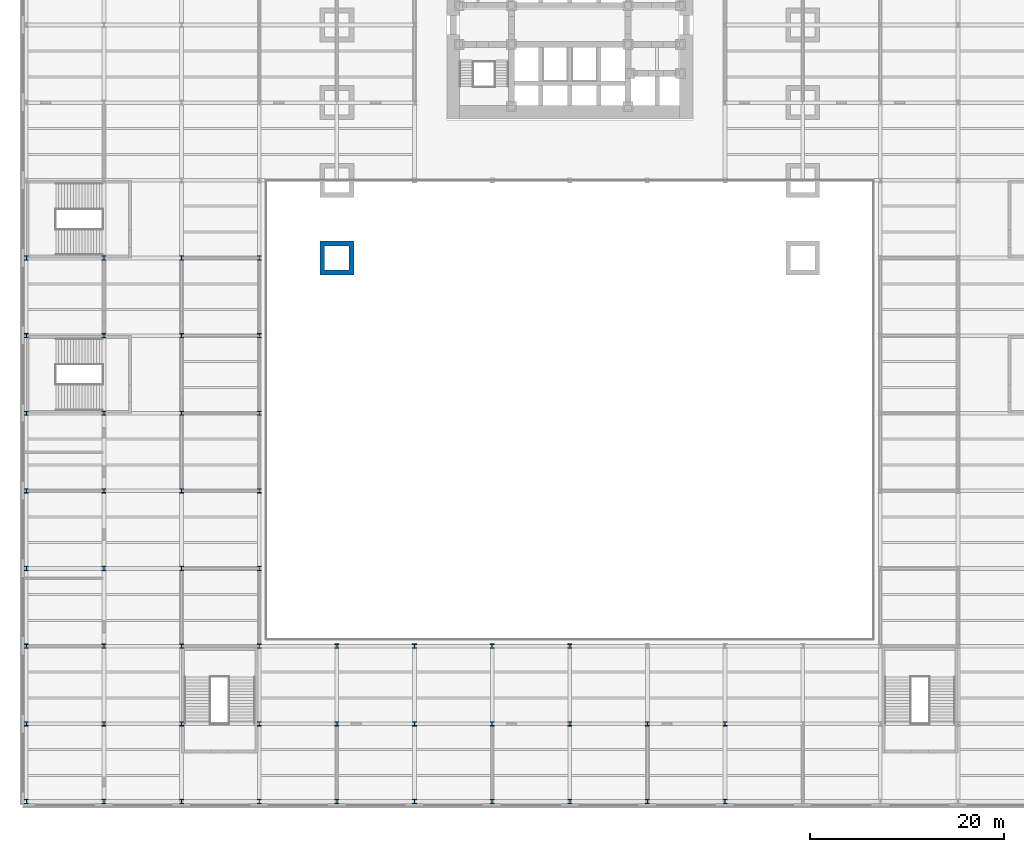
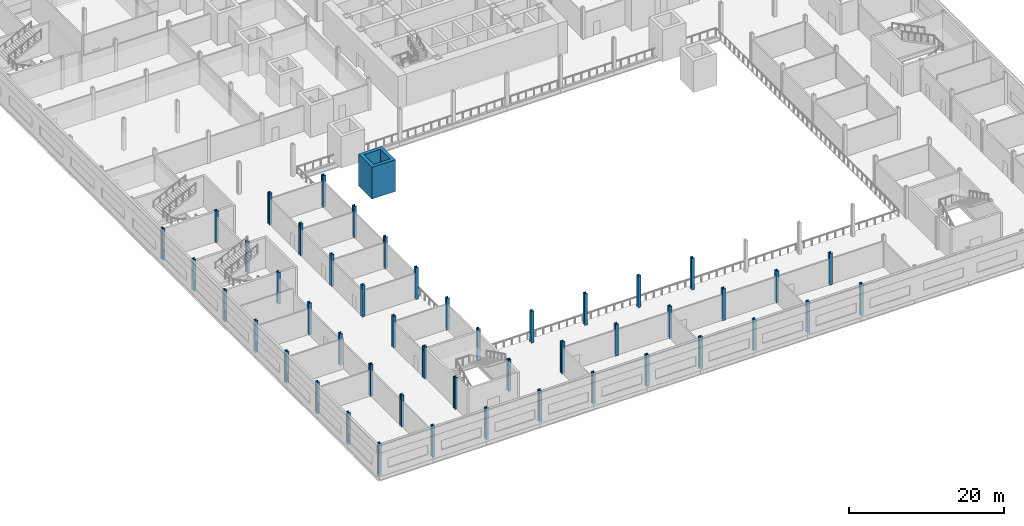
# One storey, part 1 of 18: 49 columns.
"""IFC4 building model written with IfcOpenShell, lengths in metres."""

import ifcopenshell
import ifcopenshell.guid

model = None  # the IFC model being written
_history = None  # IfcOwnerHistory: only IFC2X3 demands one
_inside = {}  # id of a spatial element -> (the spatial element, [elements in it])
_under = {}  # id of a project, library or spatial element -> (it, [spatial elements below it])
_declared = {}  # id of a project -> (the project, [libraries it declares])
_typed = {}  # id of a type object -> (the type object, [elements of that type])
_made_of = {}  # id of a material, layer set ... -> (it, [elements and type objects made of it])


def new_model(schema):
    """Start an empty IFC model of exactly this schema.

    Asked for "IFC4X3", IfcOpenShell would pick the latest addendum, in which some entities
    have other attributes; the version numbers below select the first issue.
    IFC2X3 requires an IfcOwnerHistory on every rooted entity: one is made here for all.
    """
    global model, _history
    if schema == "IFC4X3":
        model = ifcopenshell.file(schema_version=(4, 3, 0, 0))
    else:
        model = ifcopenshell.file(schema=schema)
    _inside.clear()
    _under.clear()
    _declared.clear()
    _typed.clear()
    _made_of.clear()
    _history = None
    if model.schema == "IFC2X3":
        org = make("IfcOrganization", Name="unknown")
        user = make(
            "IfcPersonAndOrganization",
            ThePerson=make("IfcPerson", FamilyName="unknown"),
            TheOrganization=org,
        )
        app = make(
            "IfcApplication",
            ApplicationDeveloper=org,
            Version="unknown",
            ApplicationFullName="unknown",
            ApplicationIdentifier="unknown",
        )
        _history = make(
            "IfcOwnerHistory",
            OwningUser=user,
            OwningApplication=app,
            ChangeAction="ADDED",
            CreationDate=0,
        )
    return model


def make(cls, **values):
    """One entity of the class cls with the attributes given. An attribute that is None is left unset."""
    return model.create_entity(
        cls, **{name: value for name, value in values.items() if value is not None}
    )


def rooted(cls, **values):
    """An entity with a GlobalId (a new one), such as an element, a storey or a relation."""
    return make(cls, GlobalId=ifcopenshell.guid.new(), OwnerHistory=_history, **values)


def si_unit(unit_type, name, prefix=None):
    """IfcSIUnit, for example si_unit("LENGTHUNIT", "METRE", prefix="MILLI")."""
    return make("IfcSIUnit", UnitType=unit_type, Prefix=prefix, Name=name)


def assignment(units):
    """IfcUnitAssignment: the units of a project."""
    return None if units is None else make("IfcUnitAssignment", Units=units)


def point(xyz):
    """IfcCartesianPoint."""
    return None if xyz is None else make("IfcCartesianPoint", Coordinates=xyz)


def direction(xyz):
    """IfcDirection."""
    return None if xyz is None else make("IfcDirection", DirectionRatios=xyz)


def frame(location, z_axis=None, x_axis=None):
    """IfcAxis2Placement3D, a coordinate frame: its origin and axes. An axis left out is left unset."""
    return make(
        "IfcAxis2Placement3D",
        Location=point(location),
        Axis=direction(z_axis),
        RefDirection=direction(x_axis),
    )


def frame_2d(location, x_axis=None):
    """IfcAxis2Placement2D, a coordinate frame in the plane: its origin and x axis."""
    return make(
        "IfcAxis2Placement2D", Location=point(location), RefDirection=direction(x_axis)
    )


def origin():
    """The frame at (0, 0, 0) with its axes left unset."""
    return frame((0.0, 0.0, 0.0))


def origin_2d():
    """The frame at (0, 0) in the plane with its x axis left unset."""
    return frame_2d((0.0, 0.0))


def place(relative_to, where):
    """IfcLocalPlacement: puts the frame where relative to a parent placement (None: the world)."""
    return make(
        "IfcLocalPlacement", PlacementRelTo=relative_to, RelativePlacement=where
    )


def context(
    kind, dimensions, precision=None, world=None, true_north=None, identifier=None
):
    """IfcGeometricRepresentationContext, for example the 3D "Model" context."""
    return make(
        "IfcGeometricRepresentationContext",
        ContextIdentifier=identifier,
        ContextType=kind,
        CoordinateSpaceDimension=dimensions,
        Precision=precision,
        WorldCoordinateSystem=world,
        TrueNorth=true_north,
    )


def subcontext(parent, identifier, kind, view, scale=None):
    """IfcGeometricRepresentationSubContext, for example "Body" below "Model"."""
    return make(
        "IfcGeometricRepresentationSubContext",
        ContextIdentifier=identifier,
        ContextType=kind,
        ParentContext=parent,
        TargetScale=scale,
        TargetView=view,
    )


def project(units=None, contexts=None):
    """IfcProject with its units and contexts."""
    return rooted(
        "IfcProject",
        Name="project",
        RepresentationContexts=contexts,
        UnitsInContext=assignment(units),
    )


def spatial(cls, under=None, at=None, **own):
    """A site, building, storey or space (cls), placed at a placement, below another one or the project."""
    s = rooted(cls, ObjectPlacement=at, **own)
    if under is not None:
        _under.setdefault(under.id(), (under, []))[1].append(s)
    return s


def profile(cls, at=None, kind="AREA", **sizes):
    """A parametric profile (cls). Its sizes go by their IFC names, for example OverallWidth=200.0."""
    return make(cls, ProfileType=kind, Position=at, **sizes)


def hollow_rectangle(**sizes):
    """IfcRectangleHollowProfileDef."""
    return profile("IfcRectangleHollowProfileDef", **sizes)


def i_section(**sizes):
    """IfcIShapeProfileDef."""
    return profile("IfcIShapeProfileDef", **sizes)


def extrude(swept, where, along, depth):
    """IfcExtrudedAreaSolid: the profile swept, set in the frame where, extruded along a direction by depth."""
    return make(
        "IfcExtrudedAreaSolid",
        SweptArea=swept,
        Position=where,
        ExtrudedDirection=direction(along),
        Depth=depth,
    )


def shape(context_of_items, identifier, shape_type, items):
    """IfcShapeRepresentation: the items that make up one representation, for example the "Body"."""
    return make(
        "IfcShapeRepresentation",
        ContextOfItems=context_of_items,
        RepresentationIdentifier=identifier,
        RepresentationType=shape_type,
        Items=items,
    )


def material(Name=None, Category=None):
    """IfcMaterial."""
    return make("IfcMaterial", Name=Name, Category=Category)


def material_profile(
    of_material, cross_section, Name=None, Category=None, Priority=None
):
    """IfcMaterialProfile: a cross section and its material."""
    return make(
        "IfcMaterialProfile",
        Name=Name,
        Material=of_material,
        Profile=cross_section,
        Priority=Priority,
        Category=Category,
    )


def profile_set(profiles, Name=None, composite=None):
    """IfcMaterialProfileSet."""
    return make(
        "IfcMaterialProfileSet",
        Name=Name,
        MaterialProfiles=profiles,
        CompositeProfile=composite,
    )


def made_of(thing, what):
    """Note that an element or type object is made of a material, layer set ...; save() writes the relation."""
    if what is not None:
        _made_of.setdefault(what.id(), (what, []))[1].append(thing)
    return thing


def type_object(cls, material=None, **own):
    """A type object (cls), such as IfcWallType, which elements share."""
    return made_of(rooted(cls, **own), material)


def element(
    cls,
    number,
    at=None,
    inside=None,
    cuts=None,
    type_object=None,
    material=None,
    context=None,
    identifier="Body",
    shape_type=None,
    held_by="IfcProductDefinitionShape",
    body=None,
    shapes=None,
    **own,
):
    """One element of the class cls, such as IfcWall. Its Tag is "e" and its number.

    at: its placement. inside: the storey or other place that contains it. cuts: it is an
    opening in that element (IfcRelVoidsElement). A single representation is given by context,
    identifier, shape_type and body (its items); several are given by shapes. held_by: the class
    of the entity that holds the representations. save() writes the other relations.
    """
    e = rooted(cls, Tag="e%d" % number, ObjectPlacement=at, **own)
    if body is not None:
        shapes = [shape(context, identifier, shape_type, body)]
    if shapes is not None:
        e.Representation = make(held_by, Representations=shapes)
    if inside is not None:
        _inside.setdefault(inside.id(), (inside, []))[1].append(e)
    if cuts is not None:
        rooted(
            "IfcRelVoidsElement", RelatingBuildingElement=cuts, RelatedOpeningElement=e
        )
    if type_object is not None:
        _typed.setdefault(type_object.id(), (type_object, []))[1].append(e)
    return made_of(e, material)


def aggregate(whole, parts):
    """IfcRelAggregates: a whole, such as a stair, and the parts it consists of."""
    return rooted("IfcRelAggregates", RelatingObject=whole, RelatedObjects=parts)


def save(model, path):
    """Write the relations noted so far, then the file.

    IfcRelAggregates (storeys below a building ...), IfcRelContainedInSpatialStructure (elements
    in a storey), IfcRelDefinesByType, IfcRelAssociatesMaterial and IfcRelDeclares: one each for
    every whole, place, type object, material and project.
    """
    for whole, parts in _under.values():
        aggregate(whole, parts)
    for where, things in _inside.values():
        rooted(
            "IfcRelContainedInSpatialStructure",
            RelatedElements=things,
            RelatingStructure=where,
        )
    for kind, things in _typed.values():
        rooted("IfcRelDefinesByType", RelatedObjects=things, RelatingType=kind)
    for what, things in _made_of.values():
        rooted("IfcRelAssociatesMaterial", RelatedObjects=things, RelatingMaterial=what)
    for by, libraries in _declared.values():
        rooted("IfcRelDeclares", RelatingContext=by, RelatedDefinitions=libraries)
    model.write(path)


model = new_model("IFC4")

# Units and contexts
model_context = context("Model", 3, precision=1e-05, world=origin(), true_north=direction((0.0, 1.0)))
body_context = subcontext(model_context, "Body", "Model", "MODEL_VIEW")
ifc_project = project(units=[si_unit("LENGTHUNIT", "METRE"), si_unit("AREAUNIT", "SQUARE_METRE"), si_unit("VOLUMEUNIT", "CUBIC_METRE"), si_unit("PLANEANGLEUNIT", "RADIAN"), si_unit("MASSUNIT", "GRAM", prefix="KILO")], contexts=[model_context])

# Site, building, storey
site_placement = place(None, origin())
site = spatial("IfcSite", under=ifc_project, at=site_placement, CompositionType="ELEMENT")
building_placement = place(site_placement, origin())
building = spatial("IfcBuilding", under=site, at=building_placement, Name="Daluyong Arena Tower", CompositionType="ELEMENT")
storey_placement = place(building_placement, frame((0.0, 0.0, 4.89990234375)))
storey = spatial("IfcBuildingStorey", under=building, at=storey_placement, Name="L01", CompositionType="ELEMENT", Elevation=4.89990234375)

# Columns
ifc_material_1 = material(Name="Steel ASTM A913 Grade 65", Category="steel")
ifc_material_profile_1 = material_profile(ifc_material_1, i_section(OverallWidth=0.419189453125, OverallDepth=0.45458984375, WebThickness=0.042236328125, FlangeThickness=0.067626953125, at=origin_2d()))
ifc_profile_set_1 = profile_set([ifc_material_profile_1], Name="Steel ASTM A913 Grade 65")
column_type_1 = type_object("IfcColumnType", Name="Podium column W14X370", PredefinedType="COLUMN", material=ifc_profile_set_1)
for number, where, z_axis, x_axis, name in (
    (1, (0.0, 0.0, 0.0), (0.0, 0.0, 1.0), (1.0, 0.0, 0.0), "podium column PC1"),
    (2, (0.0, 8.0, 0.0), (0.0, 0.0, 1.0), (1.0, 0.0, 0.0), "podium column PC1"),
    (3, (0.0, 16.0, 0.0), (0.0, 0.0, 1.0), (1.0, 0.0, 0.0), "podium column PC1"),
    (4, (0.0, 24.0, 0.0), (0.0, 0.0, 1.0), (1.0, 0.0, 0.0), "podium column PC1"),
    (5, (0.0, 32.0, 0.0), (0.0, 0.0, 1.0), (1.0, 0.0, 0.0), "podium column PC1"),
    (6, (0.0, 40.0, 0.0), (0.0, 0.0, 1.0), (1.0, 0.0, 0.0), "podium column PC1"),
    (7, (0.0, 48.0, 0.0), (0.0, 0.0, 1.0), (1.0, 0.0, 0.0), "podium column PC1"),
    (8, (0.0, 56.0, 0.0), (0.0, 0.0, 1.0), (1.0, 0.0, 0.0), "podium column PC1"),
    (9, (8.0, 0.0, 0.0), (0.0, 0.0, 1.0), (1.0, 0.0, 0.0), "podium column PC1"),
    (10, (8.0, 8.0, 0.0), (0.0, 0.0, 1.0), (1.0, 0.0, 0.0), "podium column PC1"),
    (11, (8.0, 16.0, 0.0), (0.0, 0.0, 1.0), (1.0, 0.0, 0.0), "podium column PC1"),
    (12, (8.0, 24.0, 0.0), (0.0, 0.0, 1.0), (1.0, 0.0, 0.0), "podium column PC1"),
    (13, (8.0, 32.0, 0.0), (0.0, 0.0, 1.0), (1.0, 0.0, 0.0), "podium column PC1"),
    (14, (8.0, 40.0, 0.0), (0.0, 0.0, 1.0), (1.0, 0.0, 0.0), "podium column PC1"),
    (15, (8.0, 48.0, 0.0), (0.0, 0.0, 1.0), (1.0, 0.0, 0.0), "podium column PC1"),
    (16, (8.0, 56.0, 0.0), (0.0, 0.0, 1.0), (1.0, 0.0, 0.0), "podium column PC1"),
    (17, (16.0, 0.0, 0.0), (0.0, 0.0, 1.0), (1.0, 0.0, 0.0), "podium column PC1"),
    (18, (16.0, 8.0, 0.0), (0.0, 0.0, 1.0), (1.0, 0.0, 0.0), "podium column PC1"),
    (19, (16.0, 16.0, 0.0), (0.0, 0.0, 1.0), (1.0, 0.0, 0.0), "podium column PC1"),
    (20, (16.0, 24.0, 0.0), (0.0, 0.0, 1.0), (1.0, 0.0, 0.0), "podium column PC1"),
    (21, (16.0, 32.0, 0.0), (0.0, 0.0, 1.0), (1.0, 0.0, 0.0), "podium column PC1"),
    (22, (16.0, 40.0, 0.0), (0.0, 0.0, 1.0), (1.0, 0.0, 0.0), "podium column PC1"),
    (23, (16.0, 48.0, 0.0), (0.0, 0.0, 1.0), (1.0, 0.0, 0.0), "podium column PC1"),
    (24, (16.0, 56.0, 0.0), (0.0, 0.0, 1.0), (1.0, 0.0, 0.0), "podium column PC1"),
    (25, (24.0, 0.0, 0.0), (0.0, 0.0, 1.0), (1.0, 0.0, 0.0), "podium column PC1"),
    (26, (24.0, 8.0, 0.0), (0.0, 0.0, 1.0), (1.0, 0.0, 0.0), "podium column PC1"),
    (27, (24.0, 16.0, 0.0), (0.0, 0.0, 1.0), (1.0, 0.0, 0.0), "podium column PC1"),
    (28, (24.0, 24.0, 0.0), (0.0, 0.0, 1.0), (1.0, 0.0, 0.0), "podium column PC1"),
    (29, (24.0, 32.0, 0.0), (0.0, 0.0, 1.0), (1.0, 0.0, 0.0), "podium column PC1"),
    (30, (24.0, 40.0, 0.0), (0.0, 0.0, 1.0), (1.0, 0.0, 0.0), "podium column PC1"),
    (31, (24.0, 48.0, 0.0), (0.0, 0.0, 1.0), (1.0, 0.0, 0.0), "podium column PC1"),
    (32, (24.0, 56.0, 0.0), (0.0, 0.0, 1.0), (1.0, 0.0, 0.0), "podium column PC1"),
    (33, (32.0, 0.0, 0.0), (0.0, 0.0, 1.0), (1.0, 0.0, 0.0), "podium column PC1"),
    (34, (32.0, 8.0, 0.0), (0.0, 0.0, 1.0), (1.0, 0.0, 0.0), "podium column PC1"),
    (35, (32.0, 16.0, 0.0), (0.0, 0.0, 1.0), (1.0, 0.0, 0.0), "podium column PC1"),
    (36, (40.0, 0.0, 0.0), (0.0, 0.0, 1.0), (1.0, 0.0, 0.0), "podium column PC1"),
    (37, (40.0, 8.0, 0.0), (0.0, 0.0, 1.0), (1.0, 0.0, 0.0), "podium column PC1"),
    (38, (40.0, 16.0, 0.0), (0.0, 0.0, 1.0), (1.0, 0.0, 0.0), "podium column PC1"),
    (39, (48.0, 0.0, 0.0), (0.0, 0.0, 1.0), (1.0, 0.0, 0.0), "podium column PC1"),
    (40, (48.0, 8.0, 0.0), (0.0, 0.0, 1.0), (1.0, 0.0, 0.0), "podium column PC1"),
    (41, (48.0, 16.0, 0.0), (0.0, 0.0, 1.0), (1.0, 0.0, 0.0), "podium column PC1"),
    (42, (56.0, 0.0, 0.0), (0.0, 0.0, 1.0), (1.0, 0.0, 0.0), "podium column PC1"),
    (43, (56.0, 8.0, 0.0), (0.0, 0.0, 1.0), (1.0, 0.0, 0.0), "podium column PC1"),
    (44, (56.0, 16.0, 0.0), (0.0, 0.0, 1.0), (1.0, 0.0, 0.0), "podium column PC1"),
    (45, (64.0, 0.0, 0.0), (0.0, 0.0, 1.0), (1.0, 0.0, 0.0), "podium column PC1"),
    (46, (64.0, 8.0, 0.0), (0.0, 0.0, 1.0), (1.0, 0.0, 0.0), "podium column PC1"),
    (47, (72.0, 0.0, 0.0), (0.0, 0.0, 1.0), (1.0, 0.0, 0.0), "podium column PC1"),
    (48, (72.0, 8.0, 0.0), (0.0, 0.0, 1.0), (1.0, 0.0, 0.0), "podium column PC1"),
):
    element("IfcColumn", number, at=place(storey_placement, frame(where, z_axis=z_axis, x_axis=x_axis)), inside=storey, type_object=column_type_1, Name=name, PredefinedType="COLUMN", context=body_context, shape_type="SweptSolid", body=[
        extrude(i_section(OverallWidth=0.419189453125, OverallDepth=0.45458984375, WebThickness=0.042236328125, FlangeThickness=0.067626953125, at=origin_2d()), origin(), (0.0, 0.0, 1.0), 5.0),
    ])
ifc_material_2 = material(Name="Steel ASTM A36", Category="steel")
ifc_material_profile_2 = material_profile(ifc_material_2, hollow_rectangle(XDim=3.5, YDim=3.5, WallThickness=0.5, at=origin_2d()))
ifc_profile_set_2 = profile_set([ifc_material_profile_2], Name="Steel ASTM A36")
column_type_2 = type_object("IfcColumnType", Name="Podium megacolumn BX3500X500", PredefinedType="COLUMN", material=ifc_profile_set_2)
column_placement = place(storey_placement, frame((32.0, 56.0, 0.0), z_axis=(0.0, 0.0, 1.0), x_axis=(1.0, 0.0, 0.0)))
element("IfcColumn", 49, at=column_placement, inside=storey, type_object=column_type_2, Name="podium megacolumn MC1", PredefinedType="COLUMN", context=body_context, shape_type="SweptSolid", body=[
    extrude(hollow_rectangle(XDim=3.5, YDim=3.5, WallThickness=0.5, at=origin_2d()), origin(), (0.0, 0.0, 1.0), 5.0),
])

save(model, "model.ifc")
